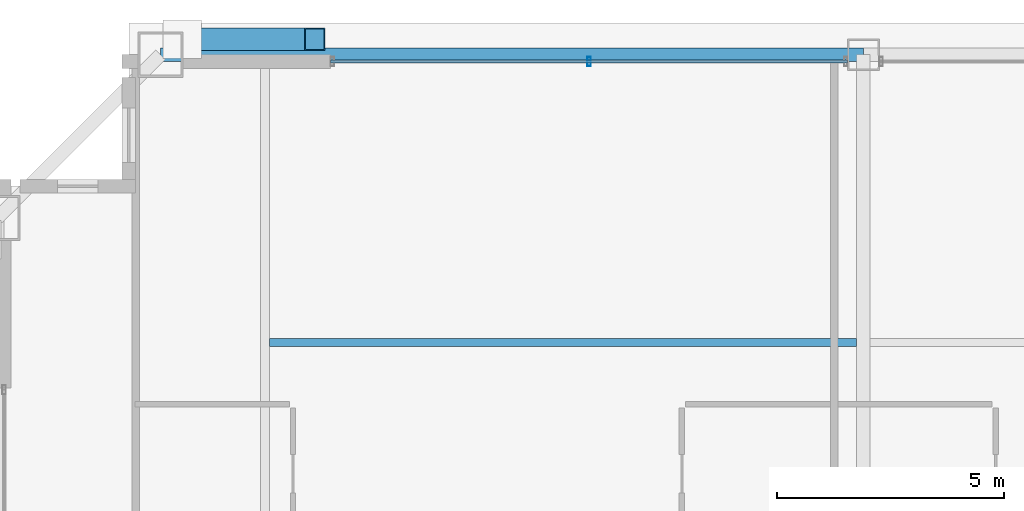
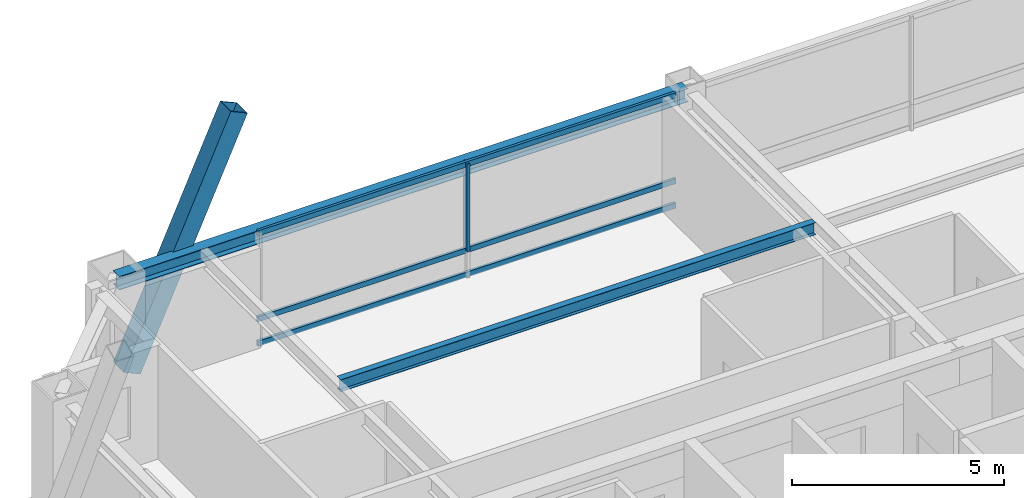
# One storey, part 16 of 34: 5 members, 2 beams, 1 element without a shape of its own.
"""IFC4 building model written with IfcOpenShell, lengths in metres."""

import ifcopenshell
import ifcopenshell.guid

model = None  # the IFC model being written
_history = None  # IfcOwnerHistory: only IFC2X3 demands one
_inside = {}  # id of a spatial element -> (the spatial element, [elements in it])
_under = {}  # id of a project, library or spatial element -> (it, [spatial elements below it])
_declared = {}  # id of a project -> (the project, [libraries it declares])
_typed = {}  # id of a type object -> (the type object, [elements of that type])
_made_of = {}  # id of a material, layer set ... -> (it, [elements and type objects made of it])


def new_model(schema):
    """Start an empty IFC model of exactly this schema.

    Asked for "IFC4X3", IfcOpenShell would pick the latest addendum, in which some entities
    have other attributes; the version numbers below select the first issue.
    IFC2X3 requires an IfcOwnerHistory on every rooted entity: one is made here for all.
    """
    global model, _history
    if schema == "IFC4X3":
        model = ifcopenshell.file(schema_version=(4, 3, 0, 0))
    else:
        model = ifcopenshell.file(schema=schema)
    _inside.clear()
    _under.clear()
    _declared.clear()
    _typed.clear()
    _made_of.clear()
    _history = None
    if model.schema == "IFC2X3":
        org = make("IfcOrganization", Name="unknown")
        user = make(
            "IfcPersonAndOrganization",
            ThePerson=make("IfcPerson", FamilyName="unknown"),
            TheOrganization=org,
        )
        app = make(
            "IfcApplication",
            ApplicationDeveloper=org,
            Version="unknown",
            ApplicationFullName="unknown",
            ApplicationIdentifier="unknown",
        )
        _history = make(
            "IfcOwnerHistory",
            OwningUser=user,
            OwningApplication=app,
            ChangeAction="ADDED",
            CreationDate=0,
        )
    return model


def make(cls, **values):
    """One entity of the class cls with the attributes given. An attribute that is None is left unset."""
    return model.create_entity(
        cls, **{name: value for name, value in values.items() if value is not None}
    )


def rooted(cls, **values):
    """An entity with a GlobalId (a new one), such as an element, a storey or a relation."""
    return make(cls, GlobalId=ifcopenshell.guid.new(), OwnerHistory=_history, **values)


def si_unit(unit_type, name, prefix=None):
    """IfcSIUnit, for example si_unit("LENGTHUNIT", "METRE", prefix="MILLI")."""
    return make("IfcSIUnit", UnitType=unit_type, Prefix=prefix, Name=name)


def assignment(units):
    """IfcUnitAssignment: the units of a project."""
    return None if units is None else make("IfcUnitAssignment", Units=units)


def point(xyz):
    """IfcCartesianPoint."""
    return None if xyz is None else make("IfcCartesianPoint", Coordinates=xyz)


def direction(xyz):
    """IfcDirection."""
    return None if xyz is None else make("IfcDirection", DirectionRatios=xyz)


def frame(location, z_axis=None, x_axis=None):
    """IfcAxis2Placement3D, a coordinate frame: its origin and axes. An axis left out is left unset."""
    return make(
        "IfcAxis2Placement3D",
        Location=point(location),
        Axis=direction(z_axis),
        RefDirection=direction(x_axis),
    )


def frame_2d(location, x_axis=None):
    """IfcAxis2Placement2D, a coordinate frame in the plane: its origin and x axis."""
    return make(
        "IfcAxis2Placement2D", Location=point(location), RefDirection=direction(x_axis)
    )


def origin():
    """The frame at (0, 0, 0) with its axes left unset."""
    return frame((0.0, 0.0, 0.0))


def origin_2d():
    """The frame at (0, 0) in the plane with its x axis left unset."""
    return frame_2d((0.0, 0.0))


def place(relative_to, where):
    """IfcLocalPlacement: puts the frame where relative to a parent placement (None: the world)."""
    return make(
        "IfcLocalPlacement", PlacementRelTo=relative_to, RelativePlacement=where
    )


def context(
    kind, dimensions, precision=None, world=None, true_north=None, identifier=None
):
    """IfcGeometricRepresentationContext, for example the 3D "Model" context."""
    return make(
        "IfcGeometricRepresentationContext",
        ContextIdentifier=identifier,
        ContextType=kind,
        CoordinateSpaceDimension=dimensions,
        Precision=precision,
        WorldCoordinateSystem=world,
        TrueNorth=true_north,
    )


def subcontext(parent, identifier, kind, view, scale=None):
    """IfcGeometricRepresentationSubContext, for example "Body" below "Model"."""
    return make(
        "IfcGeometricRepresentationSubContext",
        ContextIdentifier=identifier,
        ContextType=kind,
        ParentContext=parent,
        TargetScale=scale,
        TargetView=view,
    )


def project(units=None, contexts=None):
    """IfcProject with its units and contexts."""
    return rooted(
        "IfcProject",
        Name="project",
        RepresentationContexts=contexts,
        UnitsInContext=assignment(units),
    )


def spatial(cls, under=None, at=None, **own):
    """A site, building, storey or space (cls), placed at a placement, below another one or the project."""
    s = rooted(cls, ObjectPlacement=at, **own)
    if under is not None:
        _under.setdefault(under.id(), (under, []))[1].append(s)
    return s


def profile(cls, at=None, kind="AREA", **sizes):
    """A parametric profile (cls). Its sizes go by their IFC names, for example OverallWidth=200.0."""
    return make(cls, ProfileType=kind, Position=at, **sizes)


def hollow_rectangle(**sizes):
    """IfcRectangleHollowProfileDef."""
    return profile("IfcRectangleHollowProfileDef", **sizes)


def i_section(**sizes):
    """IfcIShapeProfileDef."""
    return profile("IfcIShapeProfileDef", **sizes)


def extrude(swept, where, along, depth):
    """IfcExtrudedAreaSolid: the profile swept, set in the frame where, extruded along a direction by depth."""
    return make(
        "IfcExtrudedAreaSolid",
        SweptArea=swept,
        Position=where,
        ExtrudedDirection=direction(along),
        Depth=depth,
    )


def shape(context_of_items, identifier, shape_type, items):
    """IfcShapeRepresentation: the items that make up one representation, for example the "Body"."""
    return make(
        "IfcShapeRepresentation",
        ContextOfItems=context_of_items,
        RepresentationIdentifier=identifier,
        RepresentationType=shape_type,
        Items=items,
    )


def source(mapping_origin, context_of_items, identifier, shape_type, items):
    """IfcRepresentationMap: a shape defined once, which mapped items show again and again."""
    return make(
        "IfcRepresentationMap",
        MappingOrigin=mapping_origin,
        MappedRepresentation=shape(context_of_items, identifier, shape_type, items),
    )


def transform(
    local_origin,
    x_axis=None,
    y_axis=None,
    z_axis=None,
    scale=None,
    scale2=None,
    scale3=None,
    uniform=True,
):
    """IfcCartesianTransformationOperator3D, or its non-uniform kind. x_axis, y_axis, z_axis: its Axis1, 2, 3."""
    if uniform:
        return make(
            "IfcCartesianTransformationOperator3D",
            Axis1=direction(x_axis),
            Axis2=direction(y_axis),
            LocalOrigin=point(local_origin),
            Scale=scale,
            Axis3=direction(z_axis),
        )
    return make(
        "IfcCartesianTransformationOperator3DnonUniform",
        Axis1=direction(x_axis),
        Axis2=direction(y_axis),
        LocalOrigin=point(local_origin),
        Scale=scale,
        Axis3=direction(z_axis),
        Scale2=scale2,
        Scale3=scale3,
    )


def mapped(mapping_source, mapping_target):
    """IfcMappedItem: shows the shape of a source again, moved by a transform."""
    return make(
        "IfcMappedItem", MappingSource=mapping_source, MappingTarget=mapping_target
    )


def material(Name=None, Category=None):
    """IfcMaterial."""
    return make("IfcMaterial", Name=Name, Category=Category)


def layer(
    of_material, thickness, ventilated=None, Name=None, Category=None, Priority=None
):
    """IfcMaterialLayer: one layer of a wall or slab, of a material (None: an air gap)."""
    return make(
        "IfcMaterialLayer",
        Material=of_material,
        LayerThickness=thickness,
        IsVentilated=ventilated,
        Name=Name,
        Category=Category,
        Priority=Priority,
    )


def layer_set(layers, Name=None):
    """IfcMaterialLayerSet."""
    return make("IfcMaterialLayerSet", MaterialLayers=layers, LayerSetName=Name)


def material_profile(
    of_material, cross_section, Name=None, Category=None, Priority=None
):
    """IfcMaterialProfile: a cross section and its material."""
    return make(
        "IfcMaterialProfile",
        Name=Name,
        Material=of_material,
        Profile=cross_section,
        Priority=Priority,
        Category=Category,
    )


def profile_set(profiles, Name=None, composite=None):
    """IfcMaterialProfileSet."""
    return make(
        "IfcMaterialProfileSet",
        Name=Name,
        MaterialProfiles=profiles,
        CompositeProfile=composite,
    )


def made_of(thing, what):
    """Note that an element or type object is made of a material, layer set ...; save() writes the relation."""
    if what is not None:
        _made_of.setdefault(what.id(), (what, []))[1].append(thing)
    return thing


def type_object(cls, material=None, **own):
    """A type object (cls), such as IfcWallType, which elements share."""
    return made_of(rooted(cls, **own), material)


def element(
    cls,
    number,
    at=None,
    inside=None,
    cuts=None,
    type_object=None,
    material=None,
    context=None,
    identifier="Body",
    shape_type=None,
    held_by="IfcProductDefinitionShape",
    body=None,
    shapes=None,
    **own,
):
    """One element of the class cls, such as IfcWall. Its Tag is "e" and its number.

    at: its placement. inside: the storey or other place that contains it. cuts: it is an
    opening in that element (IfcRelVoidsElement). A single representation is given by context,
    identifier, shape_type and body (its items); several are given by shapes. held_by: the class
    of the entity that holds the representations. save() writes the other relations.
    """
    e = rooted(cls, Tag="e%d" % number, ObjectPlacement=at, **own)
    if body is not None:
        shapes = [shape(context, identifier, shape_type, body)]
    if shapes is not None:
        e.Representation = make(held_by, Representations=shapes)
    if inside is not None:
        _inside.setdefault(inside.id(), (inside, []))[1].append(e)
    if cuts is not None:
        rooted(
            "IfcRelVoidsElement", RelatingBuildingElement=cuts, RelatedOpeningElement=e
        )
    if type_object is not None:
        _typed.setdefault(type_object.id(), (type_object, []))[1].append(e)
    return made_of(e, material)


def aggregate(whole, parts):
    """IfcRelAggregates: a whole, such as a stair, and the parts it consists of."""
    return rooted("IfcRelAggregates", RelatingObject=whole, RelatedObjects=parts)


def save(model, path):
    """Write the relations noted so far, then the file.

    IfcRelAggregates (storeys below a building ...), IfcRelContainedInSpatialStructure (elements
    in a storey), IfcRelDefinesByType, IfcRelAssociatesMaterial and IfcRelDeclares: one each for
    every whole, place, type object, material and project.
    """
    for whole, parts in _under.values():
        aggregate(whole, parts)
    for where, things in _inside.values():
        rooted(
            "IfcRelContainedInSpatialStructure",
            RelatedElements=things,
            RelatingStructure=where,
        )
    for kind, things in _typed.values():
        rooted("IfcRelDefinesByType", RelatedObjects=things, RelatingType=kind)
    for what, things in _made_of.values():
        rooted("IfcRelAssociatesMaterial", RelatedObjects=things, RelatingMaterial=what)
    for by, libraries in _declared.values():
        rooted("IfcRelDeclares", RelatingContext=by, RelatedDefinitions=libraries)
    model.write(path)


model = new_model("IFC4")

# Units and contexts
model_context = context("Model", 3, precision=1e-05, world=origin(), true_north=direction((0.0, 1.0)))
body_context = subcontext(model_context, "Body", "Model", "MODEL_VIEW")
ifc_project = project(units=[si_unit("LENGTHUNIT", "METRE"), si_unit("AREAUNIT", "SQUARE_METRE"), si_unit("VOLUMEUNIT", "CUBIC_METRE"), si_unit("PLANEANGLEUNIT", "RADIAN"), si_unit("MASSUNIT", "GRAM", prefix="KILO"), si_unit("THERMODYNAMICTEMPERATUREUNIT", "KELVIN"), si_unit("POWERUNIT", "WATT")], contexts=[model_context])

# Site, building, storey
site_placement = place(None, origin())
site = spatial("IfcSite", under=ifc_project, at=site_placement, CompositionType="ELEMENT")
building_placement = place(site_placement, origin())
building = spatial("IfcBuilding", under=site, at=building_placement, Name="Yuzanri Waterfront Tower", CompositionType="ELEMENT")
storey_placement = place(building_placement, frame((0.0, 0.0, 328.699951171875)))
storey = spatial("IfcBuildingStorey", under=building, at=storey_placement, Name="L88", CompositionType="ELEMENT", Elevation=328.699951171875)

# Beams
ifc_material_1 = material(Name="Steel Q355B", Category="steel")
ifc_material_profile_1 = material_profile(ifc_material_1, i_section(OverallWidth=0.175048828125, OverallDepth=0.35009765625, WebThickness=0.007080078125, FlangeThickness=0.010986328125, at=origin_2d()), Name="HN 350x175x7x11")
ifc_profile_set_1 = profile_set([ifc_material_profile_1], Name="Steel Q355B")
beam_type_1 = type_object("IfcBeamType", Name="Floor Joist Q355B HN 350x175", PredefinedType="JOIST", material=ifc_profile_set_1)
shared_shape_1 = source(origin(), body_context, "Body", "SweptSolid", [
    extrude(i_section(OverallWidth=0.175048828125, OverallDepth=0.35009765625, WebThickness=0.007080078125, FlangeThickness=0.010986328125, at=origin_2d()), origin(), (0.0, 0.0, 1.0), 12.9501953125),
])
beam_1_placement = place(storey_placement, frame((23.89990234375, 38.550048828125, 3.10498046875), z_axis=(1.0, 0.0, 0.0), x_axis=(0.0, 1.0, 0.0)))
element("IfcBeam", 1, at=beam_1_placement, inside=storey, type_object=beam_type_1, Name="L88 North Bay Joist W", PredefinedType="JOIST", context=body_context, shape_type="MappedRepresentation", body=[
    mapped(shared_shape_1, transform((0.0, 0.0, 0.0), scale=1.0)),
])
ifc_material_2 = material(Name="Steel Q355B", Category="steel")
ifc_material_profile_2 = material_profile(ifc_material_2, i_section(OverallWidth=0.300048828125, OverallDepth=0.389892578125, WebThickness=0.010009765625, FlangeThickness=0.01611328125, at=origin_2d()), Name="HM 390x300x10x16")
ifc_profile_set_2 = profile_set([ifc_material_profile_2], Name="Steel Q355B")
beam_type_2 = type_object("IfcBeamType", Name="Perimeter Spandrel Q355B HM 390x300", PredefinedType="SPANDREL", material=ifc_profile_set_2)
shared_shape_2 = source(origin(), body_context, "Body", "SweptSolid", [
    extrude(i_section(OverallWidth=0.300048828125, OverallDepth=0.389892578125, WebThickness=0.010009765625, FlangeThickness=0.01611328125, at=origin_2d()), origin(), (0.0, 0.0, 1.0), 15.5),
])
beam_2_placement = place(storey_placement, frame((37.0, 44.89990234375, 3.0849609375), z_axis=(-1.0, 0.0, 0.0), x_axis=(0.0, -1.0, 0.0)))
element("IfcBeam", 2, at=beam_2_placement, inside=storey, type_object=beam_type_2, Name="L88 Perimeter Spandrel N2-N1", PredefinedType="SPANDREL", context=body_context, shape_type="MappedRepresentation", body=[
    mapped(shared_shape_2, transform((0.0, 0.0, 0.0), scale=1.0)),
])

# Member
ifc_material_3 = material(Name="Steel Q390GJC", Category="steel")
ifc_material_profile_3 = material_profile(ifc_material_3, hollow_rectangle(XDim=0.5, YDim=0.5, WallThickness=0.02197265625, at=origin_2d()), Name="RHS 500x500x22")
ifc_profile_set_3 = profile_set([ifc_material_profile_3], Name="Steel Q390GJC")
member_type_1 = type_object("IfcMemberType", Name="Mega Brace Upper Q390GJC RHS 500x500x22", PredefinedType="BRACE", material=ifc_profile_set_3)
shared_shape_3 = source(origin(), body_context, "Body", "SweptSolid", [
    extrude(hollow_rectangle(XDim=0.5, YDim=0.5, WallThickness=0.02197265625, at=origin_2d()), origin(), (0.0, 0.0, 1.0), 7.125732421875),
])
member_1_placement = place(storey_placement, frame((21.97998046875, 45.239990234375, 0.179931640625), z_axis=(0.409771952938, 0.0, 0.912187999584), x_axis=(0.0, 1.0, 0.0)))
element("IfcMember", 3, at=member_1_placement, inside=storey, type_object=member_type_1, Name="L88-L89 Perimeter Mega-Brace N-L", PredefinedType="BRACE", context=body_context, shape_type="MappedRepresentation", body=[
    mapped(shared_shape_3, transform((0.0, 0.0, 0.0), scale=1.0)),
])

# Curtain wall, members
ifc_material_4 = material(Name="Anodized Architectural Bronze", Category="metal")
ifc_layer = layer(ifc_material_4, 0.159912109375)
ifc_layer_set = layer_set([ifc_layer], Name="Anodized Architectural Bronze")
curtain_wall_type = type_object("IfcCurtainWallType", Name="Anodized Bronze High-Rise Penthouse High-Wind Unitized Curtain Wall 6900", PredefinedType="NOTDEFINED", material=ifc_layer_set)
curtain_wall_placement = place(storey_placement, origin())
curtain_wall = element("IfcCurtainWall", 4, at=curtain_wall_placement, inside=storey, type_object=curtain_wall_type, Name="L88 Curtain Wall CW-L88-NL", PredefinedType="NOTDEFINED")
ifc_material_5 = material(Name="Anodized Architectural Bronze", Category="metal")
ifc_material_profile_4 = material_profile(ifc_material_5, hollow_rectangle(XDim=0.074951171875, YDim=0.199951171875, WallThickness=0.00390625, at=origin_2d()), Name="CWM 75x200")
ifc_profile_set_4 = profile_set([ifc_material_profile_4], Name="Anodized Architectural Bronze")
member_type_2 = type_object("IfcMemberType", Name="Anodized Bronze Primary Curtain-Wall Mullion 75x200", PredefinedType="MULLION", material=ifc_profile_set_4)
shared_shape_4 = source(origin(), body_context, "Body", "SweptSolid", [
    extrude(hollow_rectangle(XDim=0.074951171875, YDim=0.199951171875, WallThickness=0.00390625, at=origin_2d()), origin(), (0.0, 0.0, 1.0), 2.52392578125),
])
member_2_placement = place(storey_placement, frame((30.949951171875, 44.75, 0.756103515625), z_axis=(0.0, 0.0, 1.0), x_axis=(1.0, 0.0, 0.0)))
member_2 = element("IfcMember", 5, at=member_2_placement, type_object=member_type_2, Name="CW-L88-NL Upper Mullion 01", PredefinedType="MULLION", context=body_context, shape_type="MappedRepresentation", body=[
    mapped(shared_shape_4, transform((0.0, 0.0, 0.0), scale=1.0)),
])
ifc_material_6 = material(Name="Anodized Architectural Bronze", Category="metal")
ifc_material_profile_5 = material_profile(ifc_material_6, hollow_rectangle(XDim=0.074951171875, YDim=0.14990234375, WallThickness=0.00390625, at=origin_2d()), Name="CWT 75x150")
ifc_profile_set_5 = profile_set([ifc_material_profile_5], Name="Anodized Architectural Bronze")
member_type_3 = type_object("IfcMemberType", Name="Anodized Bronze Primary Curtain-Wall Transom 75x150", PredefinedType="USERDEFINED", material=ifc_profile_set_5)
shared_shape_5 = source(origin(), body_context, "Body", "SweptSolid", [
    extrude(hollow_rectangle(XDim=0.074951171875, YDim=0.14990234375, WallThickness=0.00390625, at=origin_2d()), origin(), (0.0, 0.0, 1.0), 11.39990234375),
])
member_3_placement = place(storey_placement, frame((25.25, 44.75, 0.050048828125), z_axis=(1.0, 0.0, 0.0), x_axis=(0.0, 1.0, 0.0)))
member_3 = element("IfcMember", 6, at=member_3_placement, type_object=member_type_3, Name="CW-L88-NL Transom 1", ObjectType="TRANSOM", PredefinedType="USERDEFINED", context=body_context, shape_type="MappedRepresentation", body=[
    mapped(shared_shape_5, transform((0.0, 0.0, 0.0), scale=1.0)),
])
member_4_placement = place(storey_placement, frame((25.25, 44.75, 0.754150390625), z_axis=(1.0, 0.0, 0.0), x_axis=(0.0, 1.0, 0.0)))
member_4 = element("IfcMember", 7, at=member_4_placement, type_object=member_type_3, Name="CW-L88-NL Transom 2", ObjectType="TRANSOM", PredefinedType="USERDEFINED", context=body_context, shape_type="MappedRepresentation", body=[
    mapped(shared_shape_5, transform((0.0, 0.0, 0.0), scale=1.0)),
])
member_5_placement = place(storey_placement, frame((25.25, 44.75, 3.22998046875), z_axis=(1.0, 0.0, 0.0), x_axis=(0.0, 1.0, 0.0)))
member_5 = element("IfcMember", 8, at=member_5_placement, type_object=member_type_3, Name="CW-L88-NL Transom 3", ObjectType="TRANSOM", PredefinedType="USERDEFINED", context=body_context, shape_type="MappedRepresentation", body=[
    mapped(shared_shape_5, transform((0.0, 0.0, 0.0), scale=1.0)),
])
aggregate(curtain_wall, [member_2, member_3, member_4, member_5])

save(model, "model.ifc")
